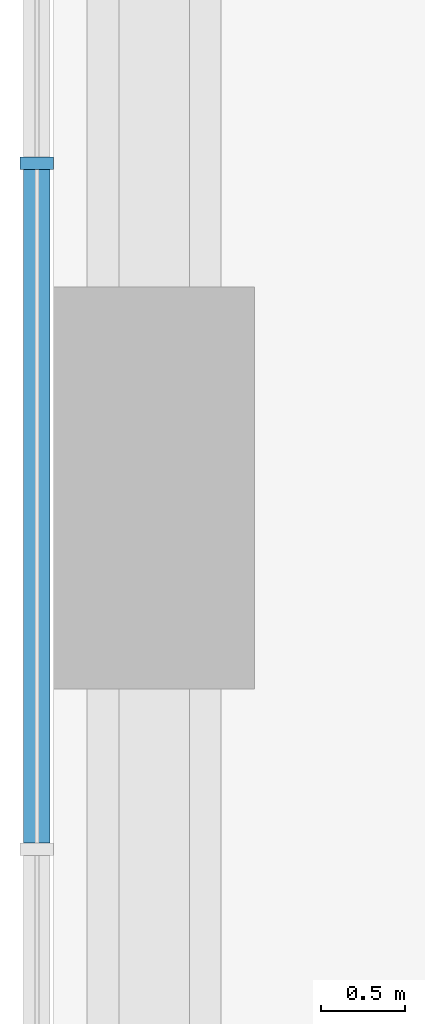
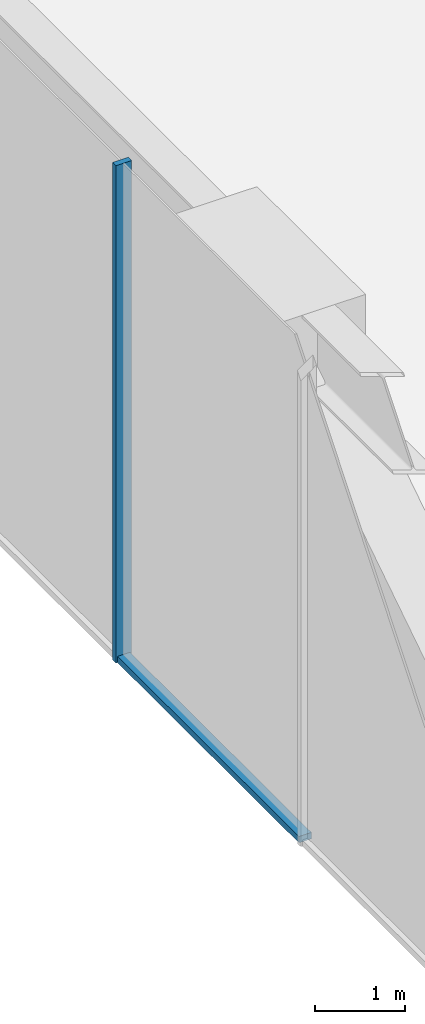
# One storey, part 3 of 10: 2 members, 1 element without a shape of its own.
"""IFC4 building model written with IfcOpenShell, lengths in metres."""

from ifc_helpers import new_model, si_unit, direction, frame, origin, origin_2d, place, context, subcontext, project, spatial, rectangle, extrude, material, material_profile, profile_set, type_object, element, aggregate, save


model = new_model("IFC4")

# Units and contexts
model_context = context("Model", 3, precision=1e-05, world=origin(), true_north=direction((0.0, 1.0)))
body_context = subcontext(model_context, "Body", "Model", "MODEL_VIEW")
ifc_project = project(units=[si_unit("LENGTHUNIT", "METRE"), si_unit("AREAUNIT", "SQUARE_METRE"), si_unit("VOLUMEUNIT", "CUBIC_METRE"), si_unit("PLANEANGLEUNIT", "RADIAN"), si_unit("MASSUNIT", "GRAM", prefix="KILO")], contexts=[model_context])

# Site, building, storey
site_placement = place(None, origin())
site = spatial("IfcSite", under=ifc_project, at=site_placement, CompositionType="ELEMENT")
building_placement = place(site_placement, origin())
building = spatial("IfcBuilding", under=site, at=building_placement, Name="Dunama Terrace Hotel", CompositionType="ELEMENT")
storey_placement = place(building_placement, frame((0.0, 0.0, 220.199951171875)))
storey = spatial("IfcBuildingStorey", under=building, at=storey_placement, Name="L57", CompositionType="ELEMENT", Elevation=220.199951171875)

# Curtain wall, members
ifc_material_1 = material(Name="Aluminium curtain wall system", Category="aluminium")
curtain_wall_type = type_object("IfcCurtainWallType", Name="Plant floor louvred glazing CW-G", PredefinedType="NOTDEFINED", material=ifc_material_1)
curtain_wall_placement = place(storey_placement, origin())
curtain_wall = element("IfcCurtainWall", 1, at=curtain_wall_placement, inside=storey, type_object=curtain_wall_type, Name="Plant floor louvred glazing CW-G L57", PredefinedType="NOTDEFINED")
ifc_material_2 = material(Name="Aluminium mullion", Category="aluminium")
ifc_material_profile_1 = material_profile(ifc_material_2, rectangle(XDim=0.074951171875, YDim=0.199951171875, at=origin_2d()), Name="CWG MULLION 75X200")
ifc_profile_set_1 = profile_set([ifc_material_profile_1], Name="Aluminium mullion")
member_type_1 = type_object("IfcMemberType", Name="CWG mullion 75x200", PredefinedType="MULLION", material=ifc_profile_set_1)
member_1_placement = place(storey_placement, frame((4.10009765625, 35.535888671875, -1.321044921875), z_axis=(0.0, 0.0, 1.0), x_axis=(0.0, -1.0, 0.0)))
member_1 = element("IfcMember", 2, at=member_1_placement, type_object=member_type_1, Name="CWG mullion", PredefinedType="MULLION", context=body_context, shape_type="SweptSolid", body=[
    extrude(rectangle(XDim=0.074951171875, YDim=0.199951171875, at=origin_2d()), origin(), (0.0, 0.0, 1.0), 6.72119140625),
])
ifc_material_3 = material(Name="Aluminium transom", Category="aluminium")
ifc_material_profile_2 = material_profile(ifc_material_3, rectangle(XDim=0.159912109375, YDim=0.0849609375, at=origin_2d()), Name="CWG TRANSOM 160X85")
ifc_profile_set_2 = profile_set([ifc_material_profile_2], Name="Aluminium transom")
member_type_2 = type_object("IfcMemberType", Name="CWG transom 160x85", PredefinedType="USERDEFINED", material=ifc_profile_set_2)
member_2_placement = place(storey_placement, frame((4.10009765625, 35.4990234375, -1.278564453125), z_axis=(0.0, -1.0, 0.0), x_axis=(1.0, 0.0, 0.0)))
member_2 = element("IfcMember", 3, at=member_2_placement, type_object=member_type_2, Name="CWG transom", ObjectType="TRANSOM", PredefinedType="USERDEFINED", context=body_context, shape_type="SweptSolid", body=[
    extrude(rectangle(XDim=0.159912109375, YDim=0.0849609375, at=origin_2d()), origin(), (0.0, 0.0, 1.0), 4.01611328125),
])
aggregate(curtain_wall, [member_1, member_2])

save(model, "model.ifc")
